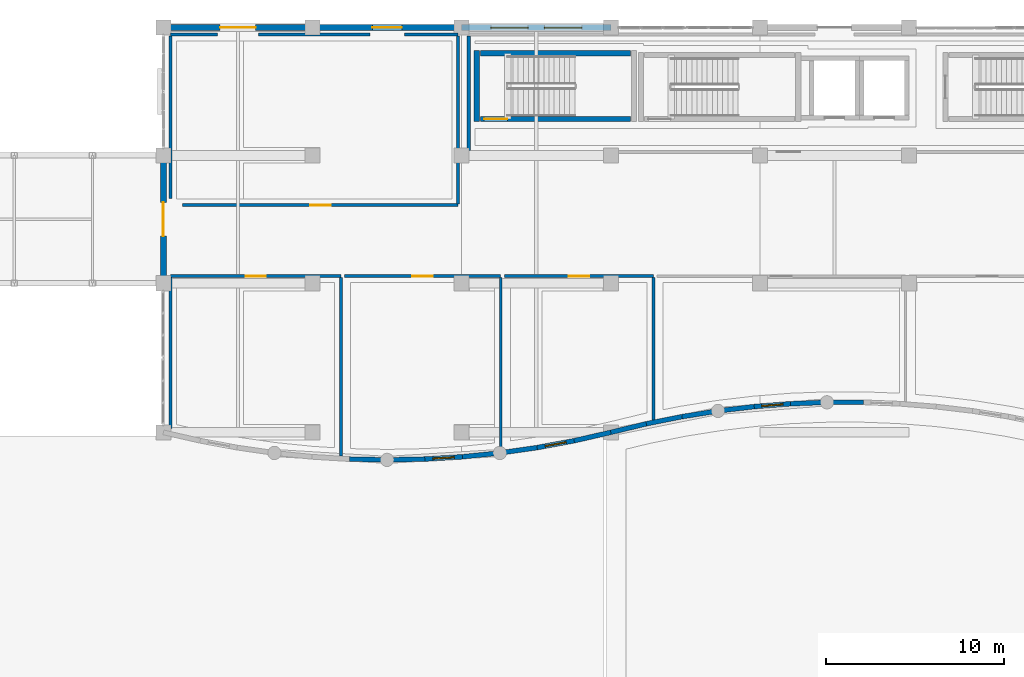
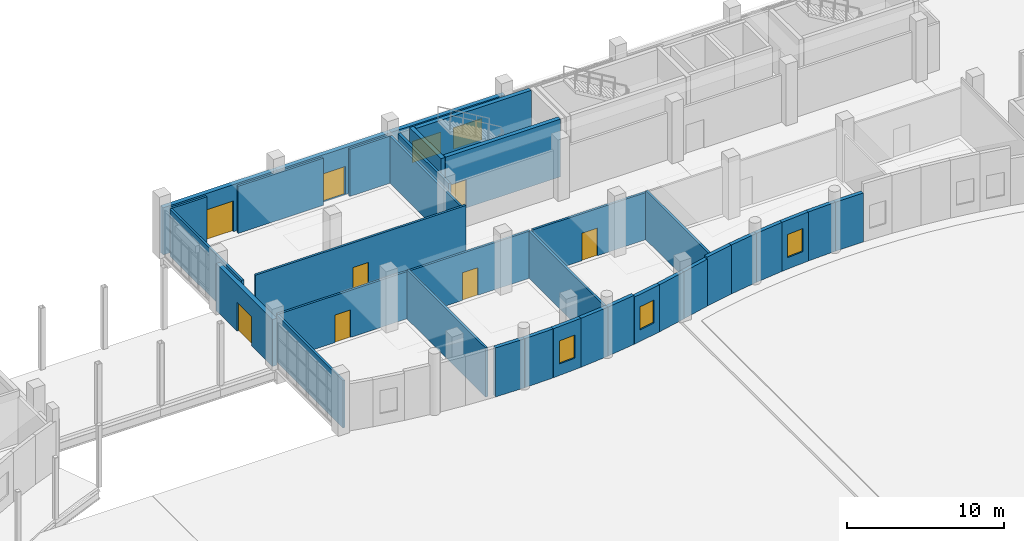
# One storey, part 68 of 97: 35 walls, 8 doors, 5 windows, 13 openings.
"""IFC4 building model written with IfcOpenShell, lengths in metres."""

from ifc_helpers import new_model, si_unit, direction, frame, frame_2d, origin, place, context, subcontext, project, spatial, rectangle, extrude, material, layer, layer_set, type_object, element, fill, save


model = new_model("IFC4")

# Units and contexts
model_context = context("Model", 3, precision=1e-05, world=origin(), true_north=direction((0.0, 1.0)))
body_context = subcontext(model_context, "Body", "Model", "MODEL_VIEW")
ifc_project = project(units=[si_unit("LENGTHUNIT", "METRE"), si_unit("AREAUNIT", "SQUARE_METRE"), si_unit("VOLUMEUNIT", "CUBIC_METRE"), si_unit("PLANEANGLEUNIT", "RADIAN"), si_unit("MASSUNIT", "GRAM", prefix="KILO")], contexts=[model_context])

# Site, building, storey
site_placement = place(None, origin())
site = spatial("IfcSite", under=ifc_project, at=site_placement, CompositionType="ELEMENT")
building_placement = place(site_placement, origin())
building = spatial("IfcBuilding", under=site, at=building_placement, Name="Kisaragi Civic Commons", CompositionType="ELEMENT")
storey_placement = place(building_placement, origin())
storey = spatial("IfcBuildingStorey", under=building, at=storey_placement, Name="L00", CompositionType="ELEMENT", Elevation=0.0)

# Wall, opening, door
ifc_material_1 = material(Name="Insulated Tokoname terracotta cavity wall", Category="masonry")
ifc_layer_1 = layer(ifc_material_1, 0.320068359375, Name="Insulated Tokoname terracotta cavity wall", Category="masonry")
ifc_layer_set_1 = layer_set([ifc_layer_1], Name="Insulated Tokoname terracotta cavity wall")
wall_type_1 = type_object("IfcWallType", Name="EW-01", PredefinedType="STANDARD", material=ifc_layer_set_1)
wall_1_placement = place(storey_placement, frame((72.0, 118.800048828125, 0.0), z_axis=(0.0, 0.0, 1.0), x_axis=(1.0, 0.0, 0.0)))
wall_1 = element("IfcWall", 1, at=wall_1_placement, inside=storey, type_object=wall_type_1, Name="V4 L00 exterior terracotta wall EW-01 277", PredefinedType="STANDARD", context=body_context, shape_type="SweptSolid", body=[
    extrude(rectangle(XDim=8.39990234375, YDim=0.320068359375, at=frame_2d((4.199951171875, 0.0))), origin(), (0.0, 0.0, 1.0), 3.669921875),
])
opening_1_placement = place(wall_1_placement, frame((3.199951171875, 0.0, 0.0)))
opening_1 = element("IfcOpeningElement", 2, at=opening_1_placement, cuts=wall_1, Name="Opening ED-A", PredefinedType="OPENING", context=body_context, shape_type="SweptSolid", body=[
    extrude(rectangle(XDim=2.0, YDim=2.39990234375, at=frame_2d((1.0, 1.199951171875))), frame((0.0, 0.169921875, 0.0), z_axis=(0.0, -1.0, 0.0), x_axis=(1.0, 0.0, 0.0)), (0.0, 0.0, 1.0), 0.340087890625),
])
ifc_material_2 = material(Name="Thermally broken anodized aluminium glazed exit door", Category="aluminium")
door_type_1 = type_object("IfcDoorType", Name="ED-A", OperationType="NOTDEFINED", PredefinedType="DOOR", material=ifc_material_2)
door_1_placement = place(opening_1_placement, origin())
door_1 = element("IfcDoor", 3, at=door_1_placement, inside=storey, type_object=door_type_1, Name="Ground exterior exit and veranda door ED-A 16", OperationType="DOUBLE_DOOR_SINGLE_SWING", OverallHeight=2.39990234375, OverallWidth=2.0, PredefinedType="DOOR", context=body_context, shape_type="SweptSolid", body=[
    extrude(rectangle(XDim=2.0, YDim=2.39990234375, at=frame_2d((1.0, 1.199951171875))), frame((0.0, 0.02490234375, 0.0), z_axis=(0.0, -1.0, 0.0), x_axis=(1.0, 0.0, 0.0)), (0.0, 0.0, 1.0), 0.050048828125),
])
fill(opening_1, door_1)

wall_2_placement = place(storey_placement, frame((80.39990234375, 118.800048828125, 0.0), z_axis=(0.0, 0.0, 1.0), x_axis=(1.0, 0.0, 0.0)))
wall_2 = element("IfcWall", 4, at=wall_2_placement, inside=storey, type_object=wall_type_1, Name="V4 L00 exterior terracotta wall EW-01 278", PredefinedType="STANDARD", context=body_context, shape_type="SweptSolid", body=[
    extrude(rectangle(XDim=8.400146484375, YDim=0.320068359375, at=frame_2d((4.2001953125, 0.0))), origin(), (0.0, 0.0, 1.0), 3.669921875),
])
opening_2_placement = place(wall_2_placement, frame((3.375, 0.0, 0.0)))
opening_2 = element("IfcOpeningElement", 5, at=opening_2_placement, cuts=wall_2, Name="Opening ED-D", PredefinedType="OPENING", context=body_context, shape_type="SweptSolid", body=[
    extrude(rectangle(XDim=1.64990234375, YDim=2.199951171875, at=frame_2d((0.824951171875, 1.10009765625))), frame((0.0, 0.169921875, 0.0), z_axis=(0.0, -1.0, 0.0), x_axis=(1.0, 0.0, 0.0)), (0.0, 0.0, 1.0), 0.340087890625),
])
door_type_2 = type_object("IfcDoorType", Name="ED-D", OperationType="NOTDEFINED", PredefinedType="DOOR", material=ifc_material_2)
door_2_placement = place(opening_2_placement, origin())
door_2 = element("IfcDoor", 6, at=door_2_placement, inside=storey, type_object=door_type_2, Name="Ground exterior exit and veranda door ED-D 17", OperationType="DOUBLE_DOOR_SINGLE_SWING", OverallHeight=2.199951171875, OverallWidth=1.64990234375, PredefinedType="DOOR", context=body_context, shape_type="SweptSolid", body=[
    extrude(rectangle(XDim=1.64990234375, YDim=2.199951171875, at=frame_2d((0.824951171875, 1.10009765625))), frame((0.0, 0.02490234375, 0.0), z_axis=(0.0, -1.0, 0.0), x_axis=(1.0, 0.0, 0.0)), (0.0, 0.0, 1.0), 0.050048828125),
])
fill(opening_2, door_2)

# Wall, openings, windows
wall_3_placement = place(storey_placement, frame((88.800048828125, 118.800048828125, 0.0), z_axis=(0.0, 0.0, 1.0), x_axis=(1.0, 0.0, 0.0)))
wall_3 = element("IfcWall", 7, at=wall_3_placement, inside=storey, type_object=wall_type_1, Name="V4 L00 exterior terracotta wall EW-01 279", PredefinedType="STANDARD", context=body_context, shape_type="SweptSolid", body=[
    extrude(rectangle(XDim=8.39990234375, YDim=0.320068359375, at=frame_2d((4.199951171875, 0.0))), origin(), (0.0, 0.0, 1.0), 3.669921875),
])
opening_3_placement = place(wall_3_placement, frame((1.637939453125, 0.0, 0.64990234375)))
opening_3 = element("IfcOpeningElement", 8, at=opening_3_placement, cuts=wall_3, Name="Opening W-04", PredefinedType="OPENING", context=body_context, shape_type="SweptSolid", body=[
    extrude(rectangle(XDim=2.10009765625, YDim=1.64990234375, at=frame_2d((1.050048828125, 0.824951171875))), frame((0.0, 0.169921875, 0.0), z_axis=(0.0, -1.0, 0.0), x_axis=(1.0, 0.0, 0.0)), (0.0, 0.0, 1.0), 0.340087890625),
])
opening_4_placement = place(wall_3_placement, frame((4.662109375, 0.0, 0.64990234375)))
opening_4 = element("IfcOpeningElement", 9, at=opening_4_placement, cuts=wall_3, Name="Opening W-04", PredefinedType="OPENING", context=body_context, shape_type="SweptSolid", body=[
    extrude(rectangle(XDim=2.10009765625, YDim=1.64990234375, at=frame_2d((1.050048828125, 0.824951171875))), frame((0.0, 0.169921875, 0.0), z_axis=(0.0, -1.0, 0.0), x_axis=(1.0, 0.0, 0.0)), (0.0, 0.0, 1.0), 0.340087890625),
])
ifc_material_3 = material(Name="Thermally broken aluminium frame and low-E argon double glazing", Category="aluminium")
window_type_1 = type_object("IfcWindowType", Name="W-04", PartitioningType="SINGLE_PANEL", PredefinedType="WINDOW", material=ifc_material_3)
window_1_placement = place(opening_3_placement, origin())
window_1 = element("IfcWindow", 10, at=window_1_placement, inside=storey, type_object=window_type_1, Name="V4 L00 window W-04 91", OverallHeight=1.64990234375, OverallWidth=2.10009765625, PartitioningType="SINGLE_PANEL", PredefinedType="WINDOW", context=body_context, shape_type="SweptSolid", body=[
    extrude(rectangle(XDim=2.10009765625, YDim=1.64990234375, at=frame_2d((1.050048828125, 0.824951171875))), frame((0.0, 0.030029296875, 0.0), z_axis=(0.0, -1.0, 0.0), x_axis=(1.0, 0.0, 0.0)), (0.0, 0.0, 1.0), 0.06005859375),
])
fill(opening_3, window_1)
window_2_placement = place(opening_4_placement, origin())
window_2 = element("IfcWindow", 11, at=window_2_placement, inside=storey, type_object=window_type_1, Name="V4 L00 window W-04 92", OverallHeight=1.64990234375, OverallWidth=2.10009765625, PartitioningType="SINGLE_PANEL", PredefinedType="WINDOW", context=body_context, shape_type="SweptSolid", body=[
    extrude(rectangle(XDim=2.10009765625, YDim=1.64990234375, at=frame_2d((1.050048828125, 0.824951171875))), frame((0.0, 0.030029296875, 0.0), z_axis=(0.0, -1.0, 0.0), x_axis=(1.0, 0.0, 0.0)), (0.0, 0.0, 1.0), 0.06005859375),
])
fill(opening_4, window_2)

# Wall, opening, door
wall_4_placement = place(storey_placement, frame((72.0, 104.39990234375, 0.0), z_axis=(0.0, 0.0, 1.0), x_axis=(0.0, 1.0, 0.0)))
wall_4 = element("IfcWall", 12, at=wall_4_placement, inside=storey, type_object=wall_type_1, Name="V4 L00 exterior terracotta wall EW-01 314", PredefinedType="STANDARD", context=body_context, shape_type="SweptSolid", body=[
    extrude(rectangle(XDim=7.2001953125, YDim=0.320068359375, at=frame_2d((3.60009765625, 0.0))), origin(), (0.0, 0.0, 1.0), 3.669921875),
])
opening_5_placement = place(wall_4_placement, frame((2.64990234375, 0.0, 0.0)))
opening_5 = element("IfcOpeningElement", 13, at=opening_5_placement, cuts=wall_4, Name="Opening ED-F", PredefinedType="OPENING", context=body_context, shape_type="SweptSolid", body=[
    extrude(rectangle(XDim=1.89990234375, YDim=2.25, at=frame_2d((0.949951171875, 1.125))), frame((0.0, 0.169921875, 0.0), z_axis=(0.0, -1.0, 0.0), x_axis=(1.0, 0.0, 0.0)), (0.0, 0.0, 1.0), 0.340087890625),
])
door_type_3 = type_object("IfcDoorType", Name="ED-F", OperationType="NOTDEFINED", PredefinedType="DOOR", material=ifc_material_2)
door_3_placement = place(opening_5_placement, origin())
door_3 = element("IfcDoor", 14, at=door_3_placement, inside=storey, type_object=door_type_3, Name="Ground exterior exit and veranda door ED-F 21", OperationType="DOUBLE_DOOR_SINGLE_SWING", OverallHeight=2.25, OverallWidth=1.89990234375, PredefinedType="DOOR", context=body_context, shape_type="SweptSolid", body=[
    extrude(rectangle(XDim=1.89990234375, YDim=2.25, at=frame_2d((0.949951171875, 1.125))), frame((0.0, 0.02490234375, 0.0), z_axis=(0.0, -1.0, 0.0), x_axis=(1.0, 0.0, 0.0)), (0.0, 0.0, 1.0), 0.050048828125),
])
fill(opening_5, door_3)

# Walls
ifc_layer_2 = layer(ifc_material_1, 0.26806640625, Name="Insulated Tokoname terracotta cavity wall", Category="masonry")
ifc_layer_set_2 = layer_set([ifc_layer_2], Name="Insulated Tokoname terracotta cavity wall")
wall_type_2 = type_object("IfcWallType", Name="EW-04", PredefinedType="STANDARD", material=ifc_layer_set_2)
wall_5_placement = place(storey_placement, frame((111.426513671875, 97.693115234375, 0.0), z_axis=(0.0, 0.0, 1.0), x_axis=(-1.0, 0.0, 0.0)))
element("IfcWall", 15, at=wall_5_placement, inside=storey, type_object=wall_type_2, Name="V4 L00 exterior terracotta wall EW-04 295", PredefinedType="STANDARD", context=body_context, shape_type="SweptSolid", body=[
    extrude(rectangle(XDim=2.05322265625, YDim=0.26806640625, at=frame_2d((1.026611328125, 0.0))), origin(), (0.0, 0.0, 1.0), 3.820068359375),
])
wall_6_placement = place(storey_placement, frame((109.373291015625, 97.693115234375, 0.0), z_axis=(0.0, 0.0, 1.0), x_axis=(-0.99922021908, -0.039483588757, 0.0)))
element("IfcWall", 16, at=wall_6_placement, inside=storey, type_object=wall_type_2, Name="V4 L00 exterior terracotta wall EW-04 296", PredefinedType="STANDARD", context=body_context, shape_type="SweptSolid", body=[
    extrude(rectangle(XDim=2.052978515625, YDim=0.26806640625, at=frame_2d((1.0263671875, 0.0))), origin(), (0.0, 0.0, 1.0), 3.820068359375),
])

# Wall, opening, window
wall_7_placement = place(storey_placement, frame((107.322021484375, 97.612060546875, 0.0), z_axis=(0.0, 0.0, 1.0), x_axis=(-0.996887829118, -0.078833090494, 0.0)))
wall_7 = element("IfcWall", 17, at=wall_7_placement, inside=storey, type_object=wall_type_2, Name="V4 L00 exterior terracotta wall EW-04 297", PredefinedType="STANDARD", context=body_context, shape_type="SweptSolid", body=[
    extrude(rectangle(XDim=2.05322265625, YDim=0.26806640625, at=frame_2d((1.026611328125, 0.0))), origin(), (0.0, 0.0, 1.0), 3.820068359375),
])
opening_6_placement = place(wall_7_placement, frame((0.426513671875, 0.0, 0.89990234375)))
opening_6 = element("IfcOpeningElement", 18, at=opening_6_placement, cuts=wall_7, Name="Opening W-05", PredefinedType="OPENING", context=body_context, shape_type="SweptSolid", body=[
    extrude(rectangle(XDim=1.199951171875, YDim=1.800048828125, at=frame_2d((0.60009765625, 0.89990234375))), frame((0.0, 0.14404296875, 0.0), z_axis=(0.0, -1.0, 0.0), x_axis=(1.0, 0.0, 0.0)), (0.0, 0.0, 1.0), 0.2880859375),
])
window_type_2 = type_object("IfcWindowType", Name="W-05", PartitioningType="SINGLE_PANEL", PredefinedType="WINDOW", material=ifc_material_3)
window_3_placement = place(opening_6_placement, origin())
window_3 = element("IfcWindow", 19, at=window_3_placement, inside=storey, type_object=window_type_2, Name="V4 L00 window W-05 98", OverallHeight=1.800048828125, OverallWidth=1.199951171875, PartitioningType="SINGLE_PANEL", PredefinedType="WINDOW", context=body_context, shape_type="SweptSolid", body=[
    extrude(rectangle(XDim=1.199951171875, YDim=1.800048828125, at=frame_2d((0.60009765625, 0.89990234375))), frame((0.0, 0.030029296875, 0.0), z_axis=(0.0, -1.0, 0.0), x_axis=(1.0, 0.0, 0.0)), (0.0, 0.0, 1.0), 0.06005859375),
])
fill(opening_6, window_3)

# Walls
wall_8_placement = place(storey_placement, frame((105.275146484375, 97.4501953125, 0.0), z_axis=(0.0, 0.0, 1.0), x_axis=(-0.992988938913, -0.118207306021, 0.0)))
element("IfcWall", 20, at=wall_8_placement, inside=storey, type_object=wall_type_2, Name="V4 L00 exterior terracotta wall EW-04 298", PredefinedType="STANDARD", context=body_context, shape_type="SweptSolid", body=[
    extrude(rectangle(XDim=2.052978515625, YDim=0.26806640625, at=frame_2d((1.0263671875, 0.0))), origin(), (0.0, 0.0, 1.0), 3.820068359375),
])
wall_9_placement = place(storey_placement, frame((103.236572265625, 97.20751953125, 0.0), z_axis=(0.0, 0.0, 1.0), x_axis=(-0.987547997058, -0.157318001217, 0.0)))
element("IfcWall", 21, at=wall_9_placement, inside=storey, type_object=wall_type_2, Name="V4 L00 exterior terracotta wall EW-04 299", PredefinedType="STANDARD", context=body_context, shape_type="SweptSolid", body=[
    extrude(rectangle(XDim=2.05322265625, YDim=0.26806640625, at=frame_2d((1.026611328125, 0.0))), origin(), (0.0, 0.0, 1.0), 3.820068359375),
])
wall_10_placement = place(storey_placement, frame((101.208984375, 96.884521484375, 0.0), z_axis=(0.0, 0.0, 1.0), x_axis=(-0.980585249135, -0.196093266532, 0.0)))
element("IfcWall", 22, at=wall_10_placement, inside=storey, type_object=wall_type_2, Name="V4 L00 exterior terracotta wall EW-04 300", PredefinedType="STANDARD", context=body_context, shape_type="SweptSolid", body=[
    extrude(rectangle(XDim=2.052978515625, YDim=0.26806640625, at=frame_2d((1.0263671875, 0.0))), origin(), (0.0, 0.0, 1.0), 3.820068359375),
])
wall_11_placement = place(storey_placement, frame((99.19580078125, 96.48193359375, 0.0), z_axis=(0.0, 0.0, 1.0), x_axis=(-0.972062565516, -0.234721896554, 0.0)))
element("IfcWall", 23, at=wall_11_placement, inside=storey, type_object=wall_type_2, Name="V4 L00 exterior terracotta wall EW-04 301", PredefinedType="STANDARD", context=body_context, shape_type="SweptSolid", body=[
    extrude(rectangle(XDim=2.05322265625, YDim=0.26806640625, at=frame_2d((1.026611328125, 0.0))), origin(), (0.0, 0.0, 1.0), 3.669921875),
])
wall_12_placement = place(storey_placement, frame((97.199951171875, 96.0, 0.0), z_axis=(0.0, 0.0, 1.0), x_axis=(-0.974933461124, -0.222496621057, 0.0)))
element("IfcWall", 24, at=wall_12_placement, inside=storey, type_object=wall_type_2, Name="V4 L00 exterior terracotta wall EW-04 302", PredefinedType="STANDARD", context=body_context, shape_type="SweptSolid", body=[
    extrude(rectangle(XDim=2.12109375, YDim=0.26806640625, at=frame_2d((1.060546875, 0.0))), origin(), (0.0, 0.0, 1.0), 3.669921875),
])

# Wall, opening, window
wall_13_placement = place(storey_placement, frame((95.132080078125, 95.528076171875, 0.0), z_axis=(0.0, 0.0, 1.0), x_axis=(-0.983213231288, -0.18246024723, 0.0)))
wall_13 = element("IfcWall", 25, at=wall_13_placement, inside=storey, type_object=wall_type_2, Name="V4 L00 exterior terracotta wall EW-04 303", PredefinedType="STANDARD", context=body_context, shape_type="SweptSolid", body=[
    extrude(rectangle(XDim=2.120849609375, YDim=0.26806640625, at=frame_2d((1.060546875, 0.0))), origin(), (0.0, 0.0, 1.0), 3.669921875),
])
opening_7_placement = place(wall_13_placement, frame((0.46044921875, 0.0, 0.89990234375)))
opening_7 = element("IfcOpeningElement", 26, at=opening_7_placement, cuts=wall_13, Name="Opening W-05", PredefinedType="OPENING", context=body_context, shape_type="SweptSolid", body=[
    extrude(rectangle(XDim=1.199951171875, YDim=1.800048828125, at=frame_2d((0.60009765625, 0.89990234375))), frame((0.0, 0.14404296875, 0.0), z_axis=(0.0, -1.0, 0.0), x_axis=(1.0, 0.0, 0.0)), (0.0, 0.0, 1.0), 0.2880859375),
])
window_4_placement = place(opening_7_placement, origin())
window_4 = element("IfcWindow", 27, at=window_4_placement, inside=storey, type_object=window_type_2, Name="V4 L00 window W-05 99", OverallHeight=1.800048828125, OverallWidth=1.199951171875, PartitioningType="SINGLE_PANEL", PredefinedType="WINDOW", context=body_context, shape_type="SweptSolid", body=[
    extrude(rectangle(XDim=1.199951171875, YDim=1.800048828125, at=frame_2d((0.60009765625, 0.89990234375))), frame((0.0, 0.030029296875, 0.0), z_axis=(0.0, -1.0, 0.0), x_axis=(1.0, 0.0, 0.0)), (0.0, 0.0, 1.0), 0.06005859375),
])
fill(opening_7, window_4)

# Walls
for number, where, z_axis, x_axis, name in (
    (28, (93.046875, 95.14111328125, 0.0), (0.0, 0.0, 1.0), (-0.989810892254, -0.142388193245, 0.0), "V4 L00 exterior terracotta wall EW-04 304"),
    (29, (90.947509765625, 94.839111328125, 0.0), (0.0, 0.0, 1.0), (-0.994810155403, -0.10174848749, 0.0), "V4 L00 exterior terracotta wall EW-04 305"),
):
    element("IfcWall", number, at=place(storey_placement, frame(where, z_axis=z_axis, x_axis=x_axis)), inside=storey, type_object=wall_type_2, Name=name, PredefinedType="STANDARD", context=body_context, shape_type="SweptSolid", body=[
        extrude(rectangle(XDim=2.12109375, YDim=0.26806640625, at=frame_2d((1.060546875, 0.0))), origin(), (0.0, 0.0, 1.0), 3.820068359375),
    ])

# Wall, opening, window
wall_14_placement = place(storey_placement, frame((88.83740234375, 94.623291015625, 0.0), z_axis=(0.0, 0.0, 1.0), x_axis=(-0.998130173714, -0.061124105898, 0.0)))
wall_14 = element("IfcWall", 30, at=wall_14_placement, inside=storey, type_object=wall_type_2, Name="V4 L00 exterior terracotta wall EW-04 306", PredefinedType="STANDARD", context=body_context, shape_type="SweptSolid", body=[
    extrude(rectangle(XDim=2.120849609375, YDim=0.26806640625, at=frame_2d((1.060546875, 0.0))), origin(), (0.0, 0.0, 1.0), 3.820068359375),
])
opening_8_placement = place(wall_14_placement, frame((0.46044921875, 0.0, 0.89990234375)))
opening_8 = element("IfcOpeningElement", 31, at=opening_8_placement, cuts=wall_14, Name="Opening W-05", PredefinedType="OPENING", context=body_context, shape_type="SweptSolid", body=[
    extrude(rectangle(XDim=1.199951171875, YDim=1.800048828125, at=frame_2d((0.60009765625, 0.89990234375))), frame((0.0, 0.14404296875, 0.0), z_axis=(0.0, -1.0, 0.0), x_axis=(1.0, 0.0, 0.0)), (0.0, 0.0, 1.0), 0.2880859375),
])
window_5_placement = place(opening_8_placement, origin())
window_5 = element("IfcWindow", 32, at=window_5_placement, inside=storey, type_object=window_type_2, Name="V4 L00 window W-05 100", OverallHeight=1.800048828125, OverallWidth=1.199951171875, PartitioningType="SINGLE_PANEL", PredefinedType="WINDOW", context=body_context, shape_type="SweptSolid", body=[
    extrude(rectangle(XDim=1.199951171875, YDim=1.800048828125, at=frame_2d((0.60009765625, 0.89990234375))), frame((0.0, 0.030029296875, 0.0), z_axis=(0.0, -1.0, 0.0), x_axis=(1.0, 0.0, 0.0)), (0.0, 0.0, 1.0), 0.06005859375),
])
fill(opening_8, window_5)

# Walls
wall_15_placement = place(storey_placement, frame((86.720458984375, 94.49365234375, 0.0), z_axis=(0.0, 0.0, 1.0), x_axis=(-0.999792393173, -0.020375734438, 0.0)))
element("IfcWall", 33, at=wall_15_placement, inside=storey, type_object=wall_type_2, Name="V4 L00 exterior terracotta wall EW-04 307", PredefinedType="STANDARD", context=body_context, shape_type="SweptSolid", body=[
    extrude(rectangle(XDim=2.120849609375, YDim=0.26806640625, at=frame_2d((1.060546875, 0.0))), origin(), (0.0, 0.0, 1.0), 3.820068359375),
])
wall_16_placement = place(storey_placement, frame((84.60009765625, 94.450439453125, 0.0), z_axis=(0.0, 0.0, 1.0), x_axis=(-0.999792440958, 0.020373389598, 0.0)))
element("IfcWall", 34, at=wall_16_placement, inside=storey, type_object=wall_type_2, Name="V4 L00 exterior terracotta wall EW-04 308", PredefinedType="STANDARD", context=body_context, shape_type="SweptSolid", body=[
    extrude(rectangle(XDim=2.12109375, YDim=0.26806640625, at=frame_2d((1.060546875, 0.0))), origin(), (0.0, 0.0, 1.0), 3.820068359375),
])
ifc_material_4 = material(Name="Fire-rated double gypsum board on steel studs with mineral wool", Category="steel")
ifc_layer_3 = layer(ifc_material_4, 0.177978515625, Name="Fire-rated double gypsum board on steel studs with mineral wool", Category="steel")
ifc_layer_set_3 = layer_set([ifc_layer_3], Name="Fire-rated double gypsum board on steel studs with mineral wool")
wall_type_3 = type_object("IfcWallType", Name="FW-02", PredefinedType="STANDARD", material=ifc_layer_set_3)
wall_17_placement = place(storey_placement, frame((89.199951171875, 111.875, 0.0), z_axis=(0.0, 0.0, 1.0), x_axis=(0.0, 1.0, 0.0)))
element("IfcWall", 35, at=wall_17_placement, inside=storey, type_object=wall_type_3, Name="L00 W0-16 partition FW-02 35", PredefinedType="STANDARD", context=body_context, shape_type="SweptSolid", body=[
    extrude(rectangle(XDim=6.449951171875, YDim=0.177978515625, at=frame_2d((3.22509765625, 0.0))), origin(), (0.0, 0.0, 1.0), 3.669921875),
])
ifc_material_5 = material(Name="Slatted Mikawa hinoki acoustic timber partition", Category="wood")
ifc_layer_4 = layer(ifc_material_5, 0.159912109375, Name="Slatted Mikawa hinoki acoustic timber partition", Category="wood")
ifc_layer_set_4 = layer_set([ifc_layer_4], Name="Slatted Mikawa hinoki acoustic timber partition")
wall_type_4 = type_object("IfcWallType", Name="IW-06", PredefinedType="STANDARD", material=ifc_layer_set_4)
wall_18_placement = place(storey_placement, frame((88.60009765625, 118.324951171875, 0.0), z_axis=(0.0, 0.0, 1.0), x_axis=(0.0, -1.0, 0.0)))
element("IfcWall", 36, at=wall_18_placement, inside=storey, type_object=wall_type_4, Name="L00 W0-04 partition IW-06 143", PredefinedType="STANDARD", context=body_context, shape_type="SweptSolid", body=[
    extrude(rectangle(XDim=9.449951171875, YDim=0.159912109375, at=frame_2d((4.72509765625, 0.0))), origin(), (0.0, 0.0, 1.0), 3.669921875),
])

# Wall, opening, door
wall_19_placement = place(storey_placement, frame((88.594970703125, 108.800048828125, 0.0), z_axis=(0.0, 0.0, 1.0), x_axis=(-1.0, 0.0, 0.0)))
wall_19 = element("IfcWall", 37, at=wall_19_placement, inside=storey, type_object=wall_type_4, Name="L00 W0-04 partition IW-06 144", PredefinedType="STANDARD", context=body_context, shape_type="SweptSolid", body=[
    extrude(rectangle(XDim=15.510009765625, YDim=0.159912109375, at=frame_2d((7.7548828125, 0.0))), origin(), (0.0, 0.0, 1.0), 4.070068359375),
])
opening_9_placement = place(wall_19_placement, frame((7.179931640625, 0.0, 0.0)))
opening_9 = element("IfcOpeningElement", 38, at=opening_9_placement, cuts=wall_19, Name="Opening ID-04", PredefinedType="OPENING", context=body_context, shape_type="SweptSolid", body=[
    extrude(rectangle(XDim=1.14990234375, YDim=2.14990234375, at=frame_2d((0.574951171875, 1.074951171875))), frame((0.0, 0.08984375, 0.0), z_axis=(0.0, -1.0, 0.0), x_axis=(1.0, 0.0, 0.0)), (0.0, 0.0, 1.0), 0.179931640625),
])
ifc_material_6 = material(Name="Solid-core Japanese ash acoustic flush timber leaf in steel frame", Category="steel")
door_type_4 = type_object("IfcDoorType", Name="ID-04", OperationType="NOTDEFINED", PredefinedType="DOOR", material=ifc_material_6)
door_4_placement = place(opening_9_placement, origin())
door_4 = element("IfcDoor", 39, at=door_4_placement, inside=storey, type_object=door_type_4, Name="Nursery Play Hall door ID-04", OperationType="SINGLE_SWING_RIGHT", OverallHeight=2.14990234375, OverallWidth=1.14990234375, PredefinedType="DOOR", context=body_context, shape_type="SweptSolid", body=[
    extrude(rectangle(XDim=1.14990234375, YDim=2.14990234375, at=frame_2d((0.574951171875, 1.074951171875))), frame((0.0, 0.02490234375, 0.0), z_axis=(0.0, -1.0, 0.0), x_axis=(1.0, 0.0, 0.0)), (0.0, 0.0, 1.0), 0.050048828125),
])
fill(opening_9, door_4)

# Walls
wall_20_placement = place(storey_placement, frame((72.39990234375, 109.1650390625, 0.0), z_axis=(0.0, 0.0, 1.0), x_axis=(0.0, 1.0, 0.0)))
element("IfcWall", 40, at=wall_20_placement, inside=storey, type_object=wall_type_4, Name="L00 W0-04 partition IW-06 145", PredefinedType="STANDARD", context=body_context, shape_type="SweptSolid", body=[
    extrude(rectangle(XDim=9.159912109375, YDim=0.159912109375, at=frame_2d((4.580078125, 0.0))), origin(), (0.0, 0.0, 1.0), 3.669921875),
])
wall_21_placement = place(storey_placement, frame((72.405029296875, 118.39990234375, 0.0), z_axis=(0.0, 0.0, 1.0), x_axis=(1.0, 0.0, 0.0)))
element("IfcWall", 41, at=wall_21_placement, inside=storey, type_object=wall_type_4, Name="L00 W0-04 partition IW-06 146", PredefinedType="STANDARD", context=body_context, shape_type="SweptSolid", body=[
    extrude(rectangle(XDim=2.64990234375, YDim=0.159912109375, at=frame_2d((1.324951171875, 0.0))), origin(), (0.0, 0.0, 1.0), 3.669921875),
])
wall_22_placement = place(storey_placement, frame((77.344970703125, 118.39990234375, 0.0), z_axis=(0.0, 0.0, 1.0), x_axis=(1.0, 0.0, 0.0)))
element("IfcWall", 42, at=wall_22_placement, inside=storey, type_object=wall_type_4, Name="L00 W0-04 partition IW-06 147", PredefinedType="STANDARD", context=body_context, shape_type="SweptSolid", body=[
    extrude(rectangle(XDim=6.284912109375, YDim=0.159912109375, at=frame_2d((3.142578125, 0.0))), origin(), (0.0, 0.0, 1.0), 3.669921875),
])
wall_23_placement = place(storey_placement, frame((85.570068359375, 118.39990234375, 0.0), z_axis=(0.0, 0.0, 1.0), x_axis=(1.0, 0.0, 0.0)))
element("IfcWall", 43, at=wall_23_placement, inside=storey, type_object=wall_type_4, Name="L00 W0-04 partition IW-06 148", PredefinedType="STANDARD", context=body_context, shape_type="SweptSolid", body=[
    extrude(rectangle(XDim=3.02490234375, YDim=0.159912109375, at=frame_2d((1.512451171875, 0.0))), origin(), (0.0, 0.0, 1.0), 3.669921875),
])
wall_24_placement = place(storey_placement, frame((72.39990234375, 96.22998046875, 0.0), z_axis=(0.0, 0.0, 1.0), x_axis=(0.0, 1.0, 0.0)))
element("IfcWall", 44, at=wall_24_placement, inside=storey, type_object=wall_type_4, Name="L00 W0-05 partition IW-06 149", PredefinedType="STANDARD", context=body_context, shape_type="SweptSolid", body=[
    extrude(rectangle(XDim=8.4951171875, YDim=0.159912109375, at=frame_2d((4.24755859375, 0.0))), origin(), (0.0, 0.0, 1.0), 3.669921875),
])

# Wall, opening, door
wall_25_placement = place(storey_placement, frame((72.405029296875, 104.800048828125, 0.0), z_axis=(0.0, 0.0, 1.0), x_axis=(1.0, 0.0, 0.0)))
wall_25 = element("IfcWall", 45, at=wall_25_placement, inside=storey, type_object=wall_type_4, Name="L00 W0-05 partition IW-06 150", PredefinedType="STANDARD", context=body_context, shape_type="SweptSolid", body=[
    extrude(rectangle(XDim=9.590087890625, YDim=0.159912109375, at=frame_2d((4.794921875, 0.0))), origin(), (0.0, 0.0, 1.0), 3.669921875),
])
opening_10_placement = place(wall_25_placement, frame((4.219970703125, 0.0, 0.0)))
opening_10 = element("IfcOpeningElement", 46, at=opening_10_placement, cuts=wall_25, Name="Opening ID-04", PredefinedType="OPENING", context=body_context, shape_type="SweptSolid", body=[
    extrude(rectangle(XDim=1.14990234375, YDim=2.14990234375, at=frame_2d((0.574951171875, 1.074951171875))), frame((0.0, 0.08984375, 0.0), z_axis=(0.0, -1.0, 0.0), x_axis=(1.0, 0.0, 0.0)), (0.0, 0.0, 1.0), 0.179931640625),
])
door_5_placement = place(opening_10_placement, origin())
door_5 = element("IfcDoor", 47, at=door_5_placement, inside=storey, type_object=door_type_4, Name="Infant Room West door ID-04", OperationType="SINGLE_SWING_LEFT", OverallHeight=2.14990234375, OverallWidth=1.14990234375, PredefinedType="DOOR", context=body_context, shape_type="SweptSolid", body=[
    extrude(rectangle(XDim=1.14990234375, YDim=2.14990234375, at=frame_2d((0.574951171875, 1.074951171875))), frame((0.0, 0.02490234375, 0.0), z_axis=(0.0, -1.0, 0.0), x_axis=(1.0, 0.0, 0.0)), (0.0, 0.0, 1.0), 0.050048828125),
])
fill(opening_10, door_5)

# Wall
wall_26_placement = place(storey_placement, frame((82.0, 104.72509765625, 0.0), z_axis=(0.0, 0.0, 1.0), x_axis=(0.0, -1.0, 0.0)))
element("IfcWall", 48, at=wall_26_placement, inside=storey, type_object=wall_type_4, Name="L00 W0-05 partition IW-06 151", PredefinedType="STANDARD", context=body_context, shape_type="SweptSolid", body=[
    extrude(rectangle(XDim=10.06005859375, YDim=0.159912109375, at=frame_2d((5.030029296875, 0.0))), origin(), (0.0, 0.0, 1.0), 3.820068359375),
])

# Wall, opening, door
wall_27_placement = place(storey_placement, frame((82.205078125, 104.800048828125, 0.0), z_axis=(0.0, 0.0, 1.0), x_axis=(1.0, 0.0, 0.0)))
wall_27 = element("IfcWall", 49, at=wall_27_placement, inside=storey, type_object=wall_type_4, Name="L00 W0-06 partition IW-06 152", PredefinedType="STANDARD", context=body_context, shape_type="SweptSolid", body=[
    extrude(rectangle(XDim=8.7900390625, YDim=0.159912109375, at=frame_2d((4.39501953125, 0.0))), origin(), (0.0, 0.0, 1.0), 3.669921875),
])
opening_11_placement = place(wall_27_placement, frame((3.820068359375, 0.0, 0.0)))
opening_11 = element("IfcOpeningElement", 50, at=opening_11_placement, cuts=wall_27, Name="Opening ID-04", PredefinedType="OPENING", context=body_context, shape_type="SweptSolid", body=[
    extrude(rectangle(XDim=1.14990234375, YDim=2.14990234375, at=frame_2d((0.574951171875, 1.074951171875))), frame((0.0, 0.08984375, 0.0), z_axis=(0.0, -1.0, 0.0), x_axis=(1.0, 0.0, 0.0)), (0.0, 0.0, 1.0), 0.179931640625),
])
door_6_placement = place(opening_11_placement, origin())
door_6 = element("IfcDoor", 51, at=door_6_placement, inside=storey, type_object=door_type_4, Name="Infant Room East door ID-04", OperationType="SINGLE_SWING_RIGHT", OverallHeight=2.14990234375, OverallWidth=1.14990234375, PredefinedType="DOOR", context=body_context, shape_type="SweptSolid", body=[
    extrude(rectangle(XDim=1.14990234375, YDim=2.14990234375, at=frame_2d((0.574951171875, 1.074951171875))), frame((0.0, 0.02490234375, 0.0), z_axis=(0.0, -1.0, 0.0), x_axis=(1.0, 0.0, 0.0)), (0.0, 0.0, 1.0), 0.050048828125),
])
fill(opening_11, door_6)

# Wall
wall_28_placement = place(storey_placement, frame((91.0, 104.72509765625, 0.0), z_axis=(0.0, 0.0, 1.0), x_axis=(0.0, -1.0, 0.0)))
element("IfcWall", 52, at=wall_28_placement, inside=storey, type_object=wall_type_4, Name="L00 W0-06 partition IW-06 153", PredefinedType="STANDARD", context=body_context, shape_type="SweptSolid", body=[
    extrude(rectangle(XDim=9.560791015625, YDim=0.159912109375, at=frame_2d((4.7802734375, 0.0))), origin(), (0.0, 0.0, 1.0), 3.669921875),
])

# Wall, opening, door
wall_29_placement = place(storey_placement, frame((91.205078125, 104.800048828125, 0.0), z_axis=(0.0, 0.0, 1.0), x_axis=(1.0, 0.0, 0.0)))
wall_29 = element("IfcWall", 53, at=wall_29_placement, inside=storey, type_object=wall_type_4, Name="L00 W0-07 partition IW-06 154", PredefinedType="STANDARD", context=body_context, shape_type="SweptSolid", body=[
    extrude(rectangle(XDim=8.389892578125, YDim=0.159912109375, at=frame_2d((4.19482421875, 0.0))), origin(), (0.0, 0.0, 1.0), 3.669921875),
])
opening_12_placement = place(wall_29_placement, frame((3.6201171875, 0.0, 0.0)))
opening_12 = element("IfcOpeningElement", 54, at=opening_12_placement, cuts=wall_29, Name="Opening ID-04", PredefinedType="OPENING", context=body_context, shape_type="SweptSolid", body=[
    extrude(rectangle(XDim=1.14990234375, YDim=2.14990234375, at=frame_2d((0.574951171875, 1.074951171875))), frame((0.0, 0.08984375, 0.0), z_axis=(0.0, -1.0, 0.0), x_axis=(1.0, 0.0, 0.0)), (0.0, 0.0, 1.0), 0.179931640625),
])
door_7_placement = place(opening_12_placement, origin())
door_7 = element("IfcDoor", 55, at=door_7_placement, inside=storey, type_object=door_type_4, Name="Preschool Classroom door ID-04", OperationType="SINGLE_SWING_LEFT", OverallHeight=2.14990234375, OverallWidth=1.14990234375, PredefinedType="DOOR", context=body_context, shape_type="SweptSolid", body=[
    extrude(rectangle(XDim=1.14990234375, YDim=2.14990234375, at=frame_2d((0.574951171875, 1.074951171875))), frame((0.0, 0.02490234375, 0.0), z_axis=(0.0, -1.0, 0.0), x_axis=(1.0, 0.0, 0.0)), (0.0, 0.0, 1.0), 0.050048828125),
])
fill(opening_12, door_7)

# Walls
wall_30_placement = place(storey_placement, frame((99.60009765625, 104.72509765625, 0.0), z_axis=(0.0, 0.0, 1.0), x_axis=(0.0, -1.0, 0.0)))
element("IfcWall", 56, at=wall_30_placement, inside=storey, type_object=wall_type_4, Name="L00 W0-07 partition IW-06 155", PredefinedType="STANDARD", context=body_context, shape_type="SweptSolid", body=[
    extrude(rectangle(XDim=8.020263671875, YDim=0.159912109375, at=frame_2d((4.01025390625, 0.0))), origin(), (0.0, 0.0, 1.0), 3.820068359375),
])
ifc_material_7 = material(Name="Concrete Fc36", Category="concrete")
ifc_layer_5 = layer(ifc_material_7, 0.300048828125, Name="Concrete Fc36", Category="concrete")
ifc_layer_set_5 = layer_set([ifc_layer_5], Name="Concrete Fc36")
wall_type_5 = type_object("IfcWallType", Name="SW-01", PredefinedType="SHEAR", material=ifc_layer_set_5)
wall_31_placement = place(storey_placement, frame((89.64990234375, 117.5, 0.0), z_axis=(0.0, 0.0, 1.0), x_axis=(0.0, -1.0, 0.0)))
element("IfcWall", 57, at=wall_31_placement, inside=storey, type_object=wall_type_5, Name="ST-L4 L00 entry RC shear wall", PredefinedType="SHEAR", context=body_context, shape_type="SweptSolid", body=[
    extrude(rectangle(XDim=4.0, YDim=0.300048828125, at=frame_2d((2.0, 0.0))), origin(), (0.0, 0.0, 1.0), 4.4951171875),
])

# Wall, opening, door
wall_32_placement = place(storey_placement, frame((89.85009765625, 113.64990234375, 0.0), z_axis=(0.0, 0.0, 1.0), x_axis=(1.0, 0.0, 0.0)))
wall_32 = element("IfcWall", 58, at=wall_32_placement, inside=storey, type_object=wall_type_5, Name="ST-L4 L00 right RC shear wall", PredefinedType="SHEAR", context=body_context, shape_type="SweptSolid", body=[
    extrude(rectangle(XDim=8.449951171875, YDim=0.300048828125, at=frame_2d((4.22509765625, 0.0))), origin(), (0.0, 0.0, 1.0), 4.4951171875),
])
opening_13_placement = place(wall_32_placement, frame((0.219970703125, 0.0, 0.0)))
opening_13 = element("IfcOpeningElement", 59, at=opening_13_placement, cuts=wall_32, Name="Opening SD-02", PredefinedType="OPENING", context=body_context, shape_type="SweptSolid", body=[
    extrude(rectangle(XDim=1.300048828125, YDim=2.199951171875, at=frame_2d((0.64990234375, 1.10009765625))), frame((0.0, 0.159912109375, 0.0), z_axis=(0.0, -1.0, 0.0), x_axis=(1.0, 0.0, 0.0)), (0.0, 0.0, 1.0), 0.320068359375),
])
ifc_material_8 = material(Name="Insulated fire-rated pressed steel door assembly", Category="steel")
door_type_5 = type_object("IfcDoorType", Name="SD-02", OperationType="NOTDEFINED", PredefinedType="DOOR", material=ifc_material_8)
door_8_placement = place(opening_13_placement, frame((1.300048828125, 0.0, 0.0), z_axis=(0.0, 0.0, 1.0), x_axis=(-1.0, 0.0, 0.0)))
door_8 = element("IfcDoor", 60, at=door_8_placement, inside=storey, type_object=door_type_5, Name="ST-L4 L00 stair fire door 19", OperationType="SINGLE_SWING_LEFT", OverallHeight=2.199951171875, OverallWidth=1.300048828125, PredefinedType="DOOR", context=body_context, shape_type="SweptSolid", body=[
    extrude(rectangle(XDim=1.300048828125, YDim=2.199951171875, at=frame_2d((0.64990234375, 1.10009765625))), frame((0.0, 0.02490234375, 0.0), z_axis=(0.0, -1.0, 0.0), x_axis=(1.0, 0.0, 0.0)), (0.0, 0.0, 1.0), 0.050048828125),
])
fill(opening_13, door_8)

# Wall
wall_33_placement = place(storey_placement, frame((98.300048828125, 117.35009765625, 0.0), z_axis=(0.0, 0.0, 1.0), x_axis=(-1.0, 0.0, 0.0)))
element("IfcWall", 61, at=wall_33_placement, inside=storey, type_object=wall_type_5, Name="ST-L4 L00 left RC shear wall", PredefinedType="SHEAR", context=body_context, shape_type="SweptSolid", body=[
    extrude(rectangle(XDim=8.449951171875, YDim=0.300048828125, at=frame_2d((4.22509765625, 0.0))), origin(), (0.0, 0.0, 1.0), 4.4951171875),
])

save(model, "model.ifc")
